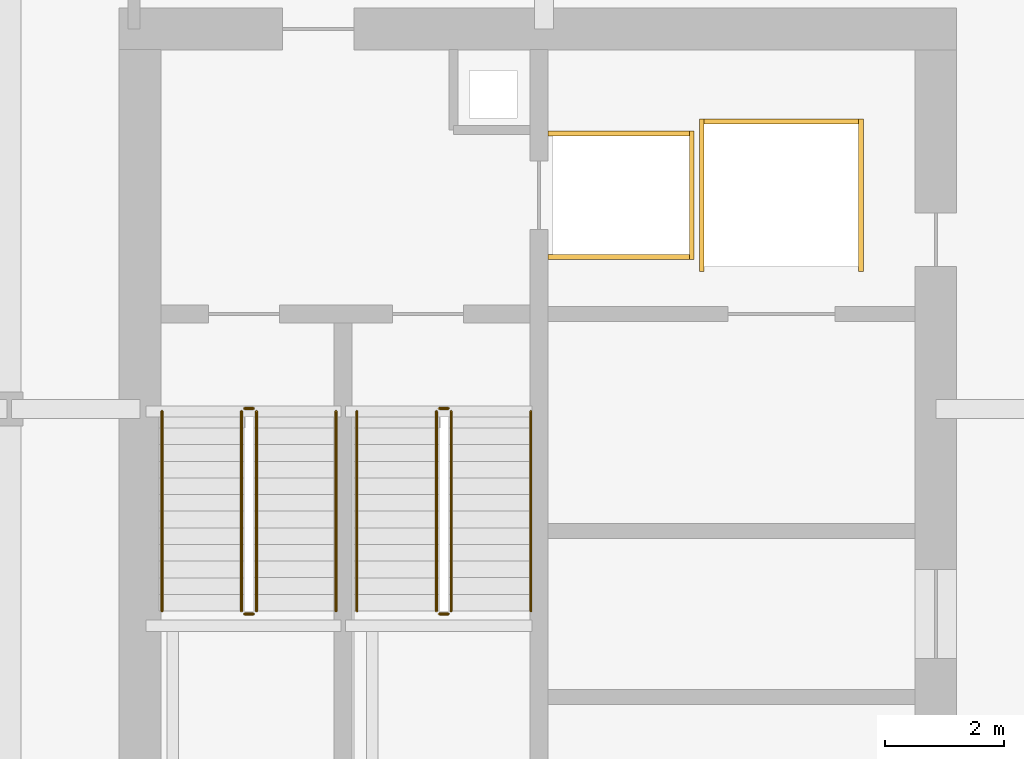
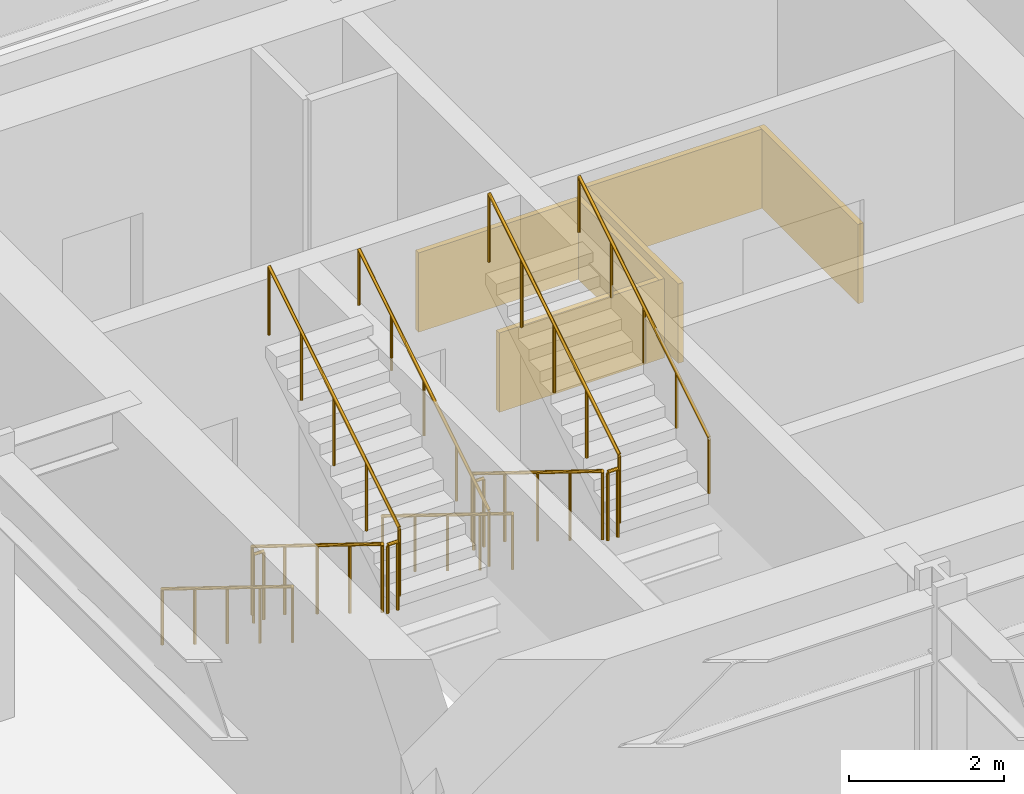
# One storey, part 6 of 6: 12 railings, 6 coverings.
"""IFC4 building model written with IfcOpenShell, lengths in metres."""

from ifc_helpers import new_model, si_unit, direction, frame, origin, origin_2d, place, context, subcontext, project, spatial, rectangle, circle, extrude, material, layer, layer_set, type_object, element, save


model = new_model("IFC4")

# Units and contexts
model_context = context("Model", 3, precision=1e-05, world=origin(), true_north=direction((0.0, 1.0)))
body_context = subcontext(model_context, "Body", "Model", "MODEL_VIEW")
ifc_project = project(units=[si_unit("LENGTHUNIT", "METRE"), si_unit("AREAUNIT", "SQUARE_METRE"), si_unit("VOLUMEUNIT", "CUBIC_METRE"), si_unit("PLANEANGLEUNIT", "RADIAN"), si_unit("MASSUNIT", "GRAM", prefix="KILO")], contexts=[model_context])

# Site, building, storey
site_placement = place(None, origin())
site = spatial("IfcSite", under=ifc_project, at=site_placement, CompositionType="ELEMENT")
building_placement = place(site_placement, origin())
building = spatial("IfcBuilding", under=site, at=building_placement, Name="Solvaryn Broadcast Tower", CompositionType="ELEMENT")
storey_placement = place(building_placement, frame((0.0, 0.0, -4.5)))
storey = spatial("IfcBuildingStorey", under=building, at=storey_placement, Name="B01", CompositionType="ELEMENT", Elevation=-4.5)

# Coverings
ifc_material_1 = material(Name="Fire-Rated Gypsum Shaftwall Liner", Category="concrete")
ifc_layer = layer(ifc_material_1, 0.080078125)
ifc_layer_set = layer_set([ifc_layer], Name="CV-SHAFT-LINER")
covering_type = type_object("IfcCoveringType", Name="CV-SHAFT-LINER", PredefinedType="CLADDING", material=ifc_layer_set)
for number, where, z_axis, x_axis, name in (
    (1, (19.300048828125, 40.639892578125, 0.0), (0.0, 0.0, 1.0), (1.0, 0.0, 0.0), "B01 FL1 Hoistway Shaft Liner North"),
    (2, (19.300048828125, 38.56005859375, 0.0), (0.0, 0.0, 1.0), (1.0, 0.0, 0.0), "B01 FL1 Hoistway Shaft Liner South"),
):
    element("IfcCovering", number, at=place(storey_placement, frame(where, z_axis=z_axis, x_axis=x_axis)), inside=storey, type_object=covering_type, Name=name, PredefinedType="CLADDING", context=body_context, shape_type="SweptSolid", body=[
        extrude(rectangle(XDim=2.4599609375, YDim=0.080078125, at=origin_2d()), origin(), (0.0, 0.0, 1.0), 1.25),
    ])
covering_1_placement = place(storey_placement, frame((20.489990234375, 39.60009765625, 0.0), z_axis=(0.0, 0.0, 1.0), x_axis=(1.0, 0.0, 0.0)))
element("IfcCovering", 3, at=covering_1_placement, inside=storey, type_object=covering_type, Name="B01 FL1 Hoistway Shaft Liner East", PredefinedType="CLADDING", context=body_context, shape_type="SweptSolid", body=[
    extrude(rectangle(XDim=0.080078125, YDim=2.159912109375, at=origin_2d()), origin(), (0.0, 0.0, 1.0), 1.25),
])
covering_2_placement = place(storey_placement, frame((22.0, 40.840087890625, 0.0), z_axis=(0.0, 0.0, 1.0), x_axis=(1.0, 0.0, 0.0)))
element("IfcCovering", 4, at=covering_2_placement, inside=storey, type_object=covering_type, Name="B01 SV1 Hoistway Shaft Liner North", PredefinedType="CLADDING", context=body_context, shape_type="SweptSolid", body=[
    extrude(rectangle(XDim=2.760009765625, YDim=0.080078125, at=origin_2d()), origin(), (0.0, 0.0, 1.0), 1.25),
])
for number, where, z_axis, x_axis, name in (
    (5, (23.340087890625, 39.60009765625, 0.0), (0.0, 0.0, 1.0), (1.0, 0.0, 0.0), "B01 SV1 Hoistway Shaft Liner East"),
    (6, (20.659912109375, 39.60009765625, 0.0), (0.0, 0.0, 1.0), (1.0, 0.0, 0.0), "B01 SV1 Hoistway Shaft Liner West"),
):
    element("IfcCovering", number, at=place(storey_placement, frame(where, z_axis=z_axis, x_axis=x_axis)), inside=storey, type_object=covering_type, Name=name, PredefinedType="CLADDING", context=body_context, shape_type="SweptSolid", body=[
        extrude(rectangle(XDim=0.080078125, YDim=2.56005859375, at=origin_2d()), origin(), (0.0, 0.0, 1.0), 1.25),
    ])

# Railings
ifc_material_2 = material(Name="Painted Steel Stair Well Guard", Category="steel")
railing_type_1 = type_object("IfcRailingType", Name="RL-STAIR-GUARD", PredefinedType="BALUSTRADE", material=ifc_material_2)
railing_1_placement = place(storey_placement, frame((12.909912109375, 35.9599609375, 0.173095703125)))
element("IfcRailing", 7, at=railing_1_placement, inside=storey, type_object=railing_type_1, Name="B01 ST1 stair guard 1", PredefinedType="BALUSTRADE", context=body_context, shape_type="SweptSolid", body=[
    extrude(circle(Radius=0.02392578125, at=origin_2d()), frame((0.0, 0.0, 1.076171875), z_axis=(0.0, -0.850606129759, 0.525803396734), x_axis=(1.0, 0.0, 0.0)), (0.0, 0.0, 1.0), 3.949951171875),
    extrude(circle(Radius=0.02099609375, at=origin_2d()), origin(), (0.0, 0.0, 1.0), 1.052001953125),
    extrude(circle(Radius=0.02099609375, at=origin_2d()), frame((0.0, -0.83984375, 0.519287109375)), (0.0, 0.0, 1.0), 1.052001953125),
    extrude(circle(Radius=0.02099609375, at=origin_2d()), frame((0.0, -1.679931640625, 1.03857421875)), (0.0, 0.0, 1.0), 1.052001953125),
    extrude(circle(Radius=0.02099609375, at=origin_2d()), frame((0.0, -2.52001953125, 1.5576171875)), (0.0, 0.0, 1.0), 1.052001953125),
    extrude(circle(Radius=0.02099609375, at=origin_2d()), frame((0.0, -3.35986328125, 2.076904296875)), (0.0, 0.0, 1.0), 1.052001953125),
])
railing_2_placement = place(storey_placement, frame((12.9599609375, 32.550048828125, 2.25)))
element("IfcRailing", 8, at=railing_2_placement, inside=storey, type_object=railing_type_1, Name="B01 ST1 stair guard 2", PredefinedType="BALUSTRADE", context=body_context, shape_type="SweptSolid", body=[
    extrude(circle(Radius=0.02392578125, at=origin_2d()), frame((0.0, 0.0, 1.076171875), z_axis=(1.0, 0.0, 0.0), x_axis=(0.0, 1.0, 0.0)), (0.0, 0.0, 1.0), 0.150146484375),
    extrude(circle(Radius=0.02099609375, at=origin_2d()), origin(), (0.0, 0.0, 1.0), 1.052001953125),
    extrude(circle(Radius=0.02099609375, at=origin_2d()), frame((0.150146484375, 0.0, 0.0)), (0.0, 0.0, 1.0), 1.052001953125),
])
railing_3_placement = place(storey_placement, frame((13.159912109375, 32.60009765625, 2.423095703125)))
element("IfcRailing", 9, at=railing_3_placement, inside=storey, type_object=railing_type_1, Name="B01 ST1 stair guard 3", PredefinedType="BALUSTRADE", context=body_context, shape_type="SweptSolid", body=[
    extrude(circle(Radius=0.02392578125, at=origin_2d()), frame((0.0, 0.0, 1.076171875), z_axis=(0.0, 0.850606129759, 0.525803396734), x_axis=(-1.0, 0.0, 0.0)), (0.0, 0.0, 1.0), 3.949951171875),
    extrude(circle(Radius=0.02099609375, at=origin_2d()), origin(), (0.0, 0.0, 1.0), 1.052001953125),
    extrude(circle(Radius=0.02099609375, at=origin_2d()), frame((0.0, 0.83984375, 0.519287109375)), (0.0, 0.0, 1.0), 1.052001953125),
    extrude(circle(Radius=0.02099609375, at=origin_2d()), frame((0.0, 1.679931640625, 1.03857421875)), (0.0, 0.0, 1.0), 1.052001953125),
    extrude(circle(Radius=0.02099609375, at=origin_2d()), frame((0.0, 2.52001953125, 1.5576171875)), (0.0, 0.0, 1.0), 1.052001953125),
    extrude(circle(Radius=0.02099609375, at=origin_2d()), frame((0.0, 3.35986328125, 2.076904296875)), (0.0, 0.0, 1.0), 1.052001953125),
])
railing_4_placement = place(storey_placement, frame((12.9599609375, 36.010009765625, 0.0)))
element("IfcRailing", 10, at=railing_4_placement, inside=storey, type_object=railing_type_1, Name="B01 ST1 stair guard 4", PredefinedType="BALUSTRADE", context=body_context, shape_type="SweptSolid", body=[
    extrude(circle(Radius=0.02392578125, at=origin_2d()), frame((0.0, 0.0, 1.076171875), z_axis=(1.0, 0.0, 0.0), x_axis=(0.0, 1.0, 0.0)), (0.0, 0.0, 1.0), 0.150146484375),
    extrude(circle(Radius=0.02099609375, at=origin_2d()), origin(), (0.0, 0.0, 1.0), 1.052001953125),
    extrude(circle(Radius=0.02099609375, at=origin_2d()), frame((0.150146484375, 0.0, 0.0)), (0.0, 0.0, 1.0), 1.052001953125),
])
railing_5_placement = place(storey_placement, frame((16.18994140625, 35.9599609375, 0.173095703125)))
element("IfcRailing", 11, at=railing_5_placement, inside=storey, type_object=railing_type_1, Name="B01 ST2 stair guard 1", PredefinedType="BALUSTRADE", context=body_context, shape_type="SweptSolid", body=[
    extrude(circle(Radius=0.02392578125, at=origin_2d()), frame((0.0, 0.0, 1.076171875), z_axis=(0.0, -0.850606129759, 0.525803396734), x_axis=(1.0, 0.0, 0.0)), (0.0, 0.0, 1.0), 3.949951171875),
    extrude(circle(Radius=0.02099609375, at=origin_2d()), origin(), (0.0, 0.0, 1.0), 1.052001953125),
    extrude(circle(Radius=0.02099609375, at=origin_2d()), frame((0.0, -0.83984375, 0.519287109375)), (0.0, 0.0, 1.0), 1.052001953125),
    extrude(circle(Radius=0.02099609375, at=origin_2d()), frame((0.0, -1.679931640625, 1.03857421875)), (0.0, 0.0, 1.0), 1.052001953125),
    extrude(circle(Radius=0.02099609375, at=origin_2d()), frame((0.0, -2.52001953125, 1.5576171875)), (0.0, 0.0, 1.0), 1.052001953125),
    extrude(circle(Radius=0.02099609375, at=origin_2d()), frame((0.0, -3.35986328125, 2.076904296875)), (0.0, 0.0, 1.0), 1.052001953125),
])
railing_6_placement = place(storey_placement, frame((16.239990234375, 32.550048828125, 2.25)))
element("IfcRailing", 12, at=railing_6_placement, inside=storey, type_object=railing_type_1, Name="B01 ST2 stair guard 2", PredefinedType="BALUSTRADE", context=body_context, shape_type="SweptSolid", body=[
    extrude(circle(Radius=0.02392578125, at=origin_2d()), frame((0.0, 0.0, 1.076171875), z_axis=(1.0, 0.0, 0.0), x_axis=(0.0, 1.0, 0.0)), (0.0, 0.0, 1.0), 0.14990234375),
    extrude(circle(Radius=0.02099609375, at=origin_2d()), origin(), (0.0, 0.0, 1.0), 1.052001953125),
    extrude(circle(Radius=0.02099609375, at=origin_2d()), frame((0.14990234375, 0.0, 0.0)), (0.0, 0.0, 1.0), 1.052001953125),
])
railing_7_placement = place(storey_placement, frame((16.43994140625, 32.60009765625, 2.423095703125)))
element("IfcRailing", 13, at=railing_7_placement, inside=storey, type_object=railing_type_1, Name="B01 ST2 stair guard 3", PredefinedType="BALUSTRADE", context=body_context, shape_type="SweptSolid", body=[
    extrude(circle(Radius=0.02392578125, at=origin_2d()), frame((0.0, 0.0, 1.076171875), z_axis=(0.0, 0.850606129759, 0.525803396734), x_axis=(-1.0, 0.0, 0.0)), (0.0, 0.0, 1.0), 3.949951171875),
    extrude(circle(Radius=0.02099609375, at=origin_2d()), origin(), (0.0, 0.0, 1.0), 1.052001953125),
    extrude(circle(Radius=0.02099609375, at=origin_2d()), frame((0.0, 0.83984375, 0.519287109375)), (0.0, 0.0, 1.0), 1.052001953125),
    extrude(circle(Radius=0.02099609375, at=origin_2d()), frame((0.0, 1.679931640625, 1.03857421875)), (0.0, 0.0, 1.0), 1.052001953125),
    extrude(circle(Radius=0.02099609375, at=origin_2d()), frame((0.0, 2.52001953125, 1.5576171875)), (0.0, 0.0, 1.0), 1.052001953125),
    extrude(circle(Radius=0.02099609375, at=origin_2d()), frame((0.0, 3.35986328125, 2.076904296875)), (0.0, 0.0, 1.0), 1.052001953125),
])
railing_8_placement = place(storey_placement, frame((16.239990234375, 36.010009765625, 0.0)))
element("IfcRailing", 14, at=railing_8_placement, inside=storey, type_object=railing_type_1, Name="B01 ST2 stair guard 4", PredefinedType="BALUSTRADE", context=body_context, shape_type="SweptSolid", body=[
    extrude(circle(Radius=0.02392578125, at=origin_2d()), frame((0.0, 0.0, 1.076171875), z_axis=(1.0, 0.0, 0.0), x_axis=(0.0, 1.0, 0.0)), (0.0, 0.0, 1.0), 0.14990234375),
    extrude(circle(Radius=0.02099609375, at=origin_2d()), origin(), (0.0, 0.0, 1.0), 1.052001953125),
    extrude(circle(Radius=0.02099609375, at=origin_2d()), frame((0.14990234375, 0.0, 0.0)), (0.0, 0.0, 1.0), 1.052001953125),
])
ifc_material_3 = material(Name="Brushed Stainless Steel Tubular Handrail", Category="steel")
railing_type_2 = type_object("IfcRailingType", Name="RL-STAIR-HANDRAIL", PredefinedType="HANDRAIL", material=ifc_material_3)
railing_9_placement = place(storey_placement, frame((11.570068359375, 35.9599609375, 0.173095703125)))
element("IfcRailing", 15, at=railing_9_placement, inside=storey, type_object=railing_type_2, Name="B01 ST1 stair handrail 1", PredefinedType="HANDRAIL", context=body_context, shape_type="SweptSolid", body=[
    extrude(circle(Radius=0.02392578125, at=origin_2d()), frame((0.0, 0.0, 0.8759765625), z_axis=(0.0, -0.850606129759, 0.525803396734), x_axis=(1.0, 0.0, 0.0)), (0.0, 0.0, 1.0), 3.949951171875),
    extrude(circle(Radius=0.02099609375, at=origin_2d()), origin(), (0.0, 0.0, 1.0), 0.851806640625),
    extrude(circle(Radius=0.02099609375, at=origin_2d()), frame((0.0, -0.83984375, 0.519287109375)), (0.0, 0.0, 1.0), 0.851806640625),
    extrude(circle(Radius=0.02099609375, at=origin_2d()), frame((0.0, -1.679931640625, 1.03857421875)), (0.0, 0.0, 1.0), 0.851806640625),
    extrude(circle(Radius=0.02099609375, at=origin_2d()), frame((0.0, -2.52001953125, 1.5576171875)), (0.0, 0.0, 1.0), 0.851806640625),
    extrude(circle(Radius=0.02099609375, at=origin_2d()), frame((0.0, -3.35986328125, 2.076904296875)), (0.0, 0.0, 1.0), 0.851806640625),
])
railing_10_placement = place(storey_placement, frame((14.5, 32.60009765625, 2.423095703125)))
element("IfcRailing", 16, at=railing_10_placement, inside=storey, type_object=railing_type_2, Name="B01 ST1 stair handrail 2", PredefinedType="HANDRAIL", context=body_context, shape_type="SweptSolid", body=[
    extrude(circle(Radius=0.02392578125, at=origin_2d()), frame((0.0, 0.0, 0.8759765625), z_axis=(0.0, 0.850606129759, 0.525803396734), x_axis=(-1.0, 0.0, 0.0)), (0.0, 0.0, 1.0), 3.949951171875),
    extrude(circle(Radius=0.02099609375, at=origin_2d()), origin(), (0.0, 0.0, 1.0), 0.851806640625),
    extrude(circle(Radius=0.02099609375, at=origin_2d()), frame((0.0, 0.83984375, 0.519287109375)), (0.0, 0.0, 1.0), 0.851806640625),
    extrude(circle(Radius=0.02099609375, at=origin_2d()), frame((0.0, 1.679931640625, 1.03857421875)), (0.0, 0.0, 1.0), 0.851806640625),
    extrude(circle(Radius=0.02099609375, at=origin_2d()), frame((0.0, 2.52001953125, 1.5576171875)), (0.0, 0.0, 1.0), 0.851806640625),
    extrude(circle(Radius=0.02099609375, at=origin_2d()), frame((0.0, 3.35986328125, 2.076904296875)), (0.0, 0.0, 1.0), 0.851806640625),
])
railing_11_placement = place(storey_placement, frame((14.85009765625, 35.9599609375, 0.173095703125)))
element("IfcRailing", 17, at=railing_11_placement, inside=storey, type_object=railing_type_2, Name="B01 ST2 stair handrail 1", PredefinedType="HANDRAIL", context=body_context, shape_type="SweptSolid", body=[
    extrude(circle(Radius=0.02392578125, at=origin_2d()), frame((0.0, 0.0, 0.8759765625), z_axis=(0.0, -0.850606129759, 0.525803396734), x_axis=(1.0, 0.0, 0.0)), (0.0, 0.0, 1.0), 3.949951171875),
    extrude(circle(Radius=0.02099609375, at=origin_2d()), origin(), (0.0, 0.0, 1.0), 0.851806640625),
    extrude(circle(Radius=0.02099609375, at=origin_2d()), frame((0.0, -0.83984375, 0.519287109375)), (0.0, 0.0, 1.0), 0.851806640625),
    extrude(circle(Radius=0.02099609375, at=origin_2d()), frame((0.0, -1.679931640625, 1.03857421875)), (0.0, 0.0, 1.0), 0.851806640625),
    extrude(circle(Radius=0.02099609375, at=origin_2d()), frame((0.0, -2.52001953125, 1.5576171875)), (0.0, 0.0, 1.0), 0.851806640625),
    extrude(circle(Radius=0.02099609375, at=origin_2d()), frame((0.0, -3.35986328125, 2.076904296875)), (0.0, 0.0, 1.0), 0.851806640625),
])
railing_12_placement = place(storey_placement, frame((17.780029296875, 32.60009765625, 2.423095703125)))
element("IfcRailing", 18, at=railing_12_placement, inside=storey, type_object=railing_type_2, Name="B01 ST2 stair handrail 2", PredefinedType="HANDRAIL", context=body_context, shape_type="SweptSolid", body=[
    extrude(circle(Radius=0.02392578125, at=origin_2d()), frame((0.0, 0.0, 0.8759765625), z_axis=(0.0, 0.850606129759, 0.525803396734), x_axis=(-1.0, 0.0, 0.0)), (0.0, 0.0, 1.0), 3.949951171875),
    extrude(circle(Radius=0.02099609375, at=origin_2d()), origin(), (0.0, 0.0, 1.0), 0.851806640625),
    extrude(circle(Radius=0.02099609375, at=origin_2d()), frame((0.0, 0.83984375, 0.519287109375)), (0.0, 0.0, 1.0), 0.851806640625),
    extrude(circle(Radius=0.02099609375, at=origin_2d()), frame((0.0, 1.679931640625, 1.03857421875)), (0.0, 0.0, 1.0), 0.851806640625),
    extrude(circle(Radius=0.02099609375, at=origin_2d()), frame((0.0, 2.52001953125, 1.5576171875)), (0.0, 0.0, 1.0), 0.851806640625),
    extrude(circle(Radius=0.02099609375, at=origin_2d()), frame((0.0, 3.35986328125, 2.076904296875)), (0.0, 0.0, 1.0), 0.851806640625),
])

save(model, "model.ifc")
